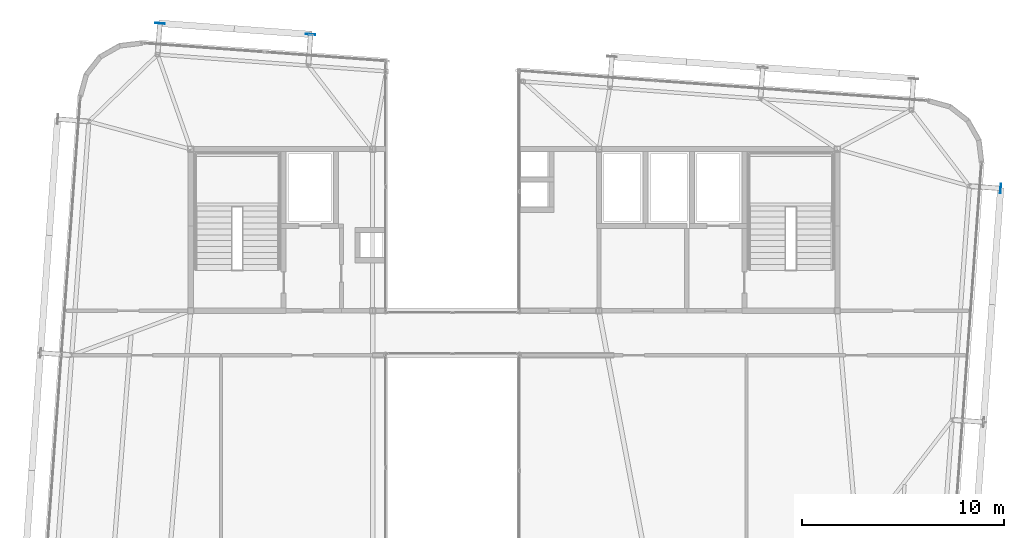
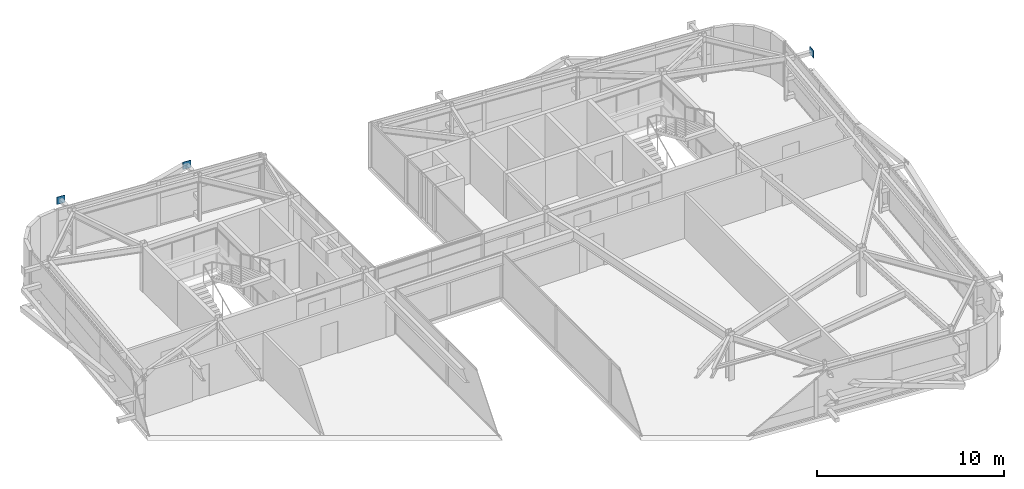
# One storey, part 33 of 39: 3 plates.
"""IFC4 building model written with IfcOpenShell, lengths in metres."""

from ifc_helpers import new_model, si_unit, direction, frame, origin, origin_2d, place, context, subcontext, project, spatial, rectangle, extrude, source, transform, mapped, material, layer, layer_set, type_object, element, save


model = new_model("IFC4")

# Units and contexts
model_context = context("Model", 3, precision=1e-05, world=origin(), true_north=direction((0.0, 1.0)))
body_context = subcontext(model_context, "Body", "Model", "MODEL_VIEW")
ifc_project = project(units=[si_unit("LENGTHUNIT", "METRE"), si_unit("AREAUNIT", "SQUARE_METRE"), si_unit("VOLUMEUNIT", "CUBIC_METRE"), si_unit("PLANEANGLEUNIT", "RADIAN"), si_unit("MASSUNIT", "GRAM", prefix="KILO")], contexts=[model_context])

# Site, building, storey
site_placement = place(None, origin())
site = spatial("IfcSite", under=ifc_project, at=site_placement, CompositionType="ELEMENT")
building_placement = place(site_placement, origin())
building = spatial("IfcBuilding", under=site, at=building_placement, Name="Taldren Reach Tower", CompositionType="ELEMENT")
storey_placement = place(building_placement, frame((0.0, 0.0, 230.300048828125)))
storey = spatial("IfcBuildingStorey", under=building, at=storey_placement, Name="L70", CompositionType="ELEMENT", Elevation=230.300048828125)

# Plates
ifc_material = material(Name="Steel Gr 450 (C450L0)", Category="steel")
ifc_layer = layer(ifc_material, 0.031982421875)
ifc_layer_set = layer_set([ifc_layer], Name="Steel Gr 450 (C450L0)")
plate_type = type_object("IfcPlateType", Name="PL-GUSSET-32", PredefinedType="SHEET", material=ifc_layer_set)
shared_shape = source(origin(), body_context, "Body", "SweptSolid", [
    extrude(rectangle(XDim=0.47998046875, YDim=0.031982421875, at=origin_2d()), origin(), (0.0, 0.0, 1.0), 0.47998046875),
])
for number, where, z_axis, x_axis, name in (
    (1, (17.473388671875, 38.224609375, 2.409912109375), (0.0, 0.0, 1.0), (0.997314477224, -0.073238197128, 0.0), "Exoskeleton star-node gusset plate B5-N1 L70"),
    (2, (24.93310546875, 37.677001953125, 2.409912109375), (0.0, 0.0, 1.0), (0.997314477224, -0.073238197128, 0.0), "Exoskeleton star-node gusset plate B5-N2 L70"),
    (3, (59.086669921875, 30.05517578125, 2.409912109375), (0.0, 0.0, 1.0), (0.073238197128, 0.997314477224, 0.0), "Exoskeleton star-node gusset plate B5-E3 L70"),
):
    element("IfcPlate", number, at=place(storey_placement, frame(where, z_axis=z_axis, x_axis=x_axis)), inside=storey, type_object=plate_type, Name=name, PredefinedType="SHEET", context=body_context, shape_type="MappedRepresentation", body=[
        mapped(shared_shape, transform((0.0, 0.0, 0.0), scale=1.0)),
    ])

save(model, "model.ifc")
